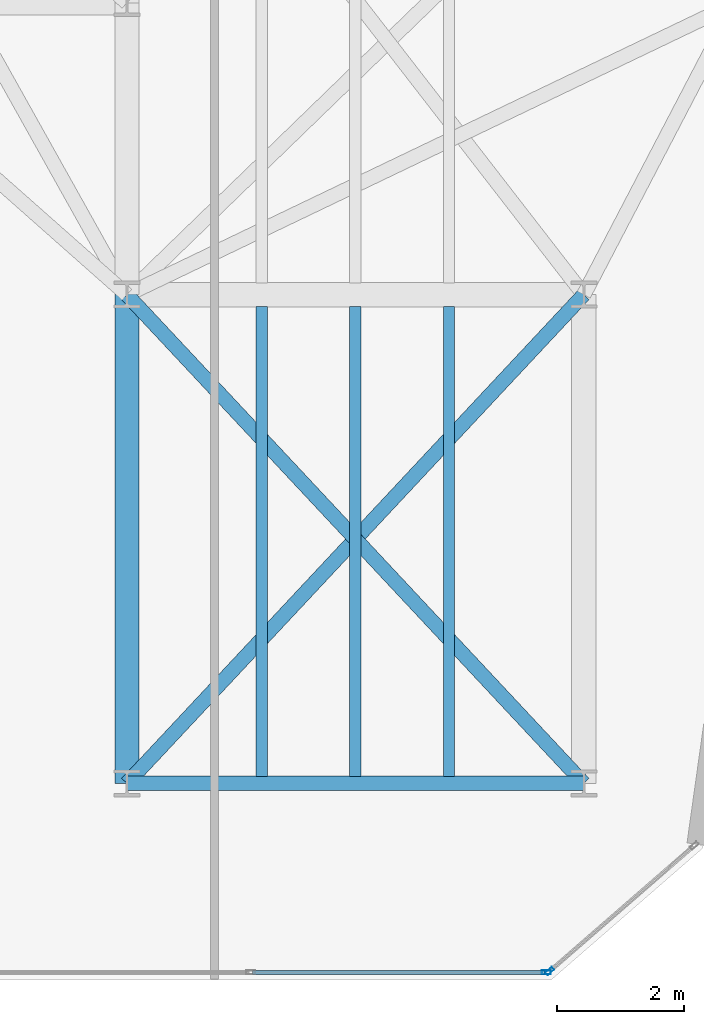
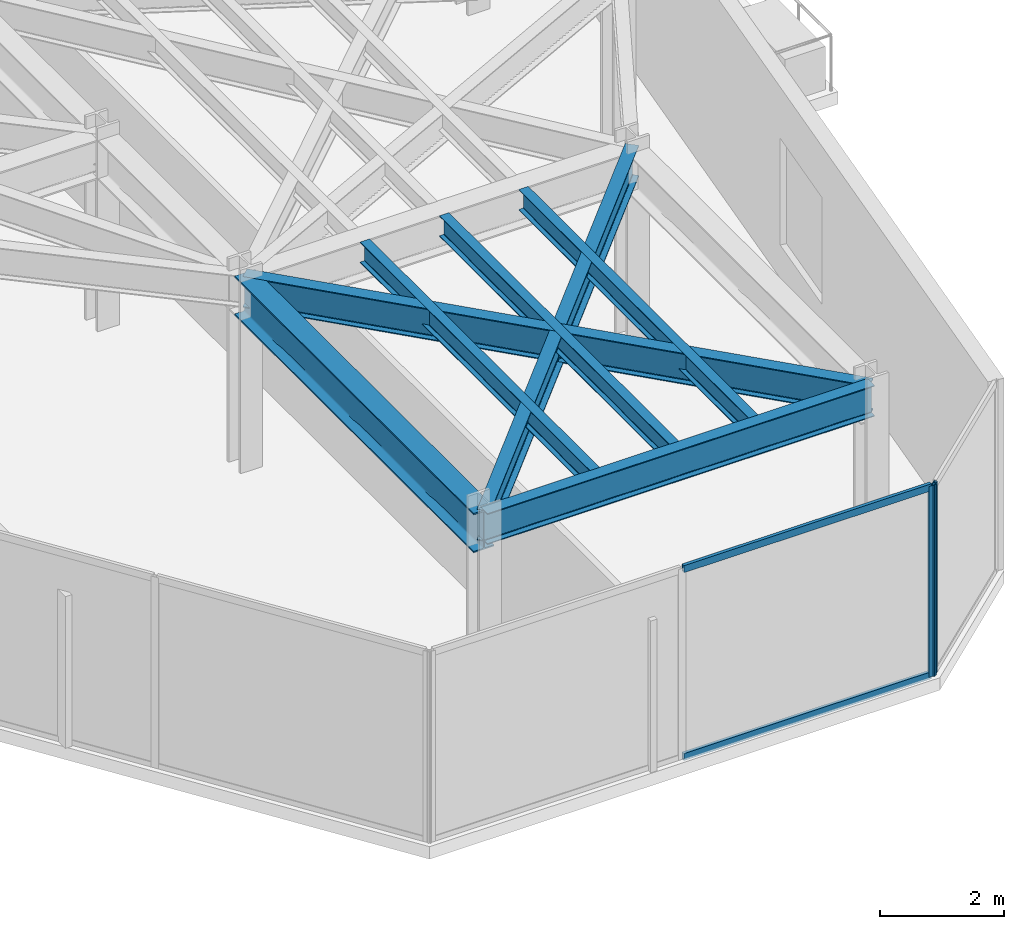
# One storey, part 11 of 21: 7 beams, 4 members, 2 elements without a shape of their own.
"""IFC4 building model written with IfcOpenShell, lengths in metres."""

from ifc_helpers import new_model, si_unit, direction, frame, origin, origin_2d, place, context, subcontext, project, spatial, hollow_rectangle, i_section, extrude, material, layer, layer_set, material_profile, profile_set, type_object, element, aggregate, save


model = new_model("IFC4")

# Units and contexts
model_context = context("Model", 3, precision=1e-05, world=origin(), true_north=direction((0.0, 1.0)))
body_context = subcontext(model_context, "Body", "Model", "MODEL_VIEW")
ifc_project = project(units=[si_unit("LENGTHUNIT", "METRE"), si_unit("AREAUNIT", "SQUARE_METRE"), si_unit("VOLUMEUNIT", "CUBIC_METRE"), si_unit("PLANEANGLEUNIT", "RADIAN"), si_unit("MASSUNIT", "GRAM", prefix="KILO")], contexts=[model_context])

# Site, building, storey
site_placement = place(None, origin())
site = spatial("IfcSite", under=ifc_project, at=site_placement, CompositionType="ELEMENT")
building_placement = place(site_placement, origin())
building = spatial("IfcBuilding", under=site, at=building_placement, Name="Kravanh Interchange Tower", CompositionType="ELEMENT")
storey_placement = place(building_placement, frame((0.0, 0.0, 192.5)))
storey = spatial("IfcBuildingStorey", under=building, at=storey_placement, Name="L46", CompositionType="ELEMENT", Elevation=192.5)

# Curtain wall, member
ifc_material_1 = material(Name="Anodised Bronze Aluminium", Category="aluminium")
ifc_layer = layer(ifc_material_1, 0.179931640625)
ifc_layer_set = layer_set([ifc_layer], Name="Unitised Curtain Wall System CW-Z3 Upper Office")
curtain_wall_type = type_object("IfcCurtainWallType", Name="Unitised Curtain Wall System CW-Z3 Upper Office", PredefinedType="NOTDEFINED", material=ifc_layer_set)
curtain_wall_1_placement = place(storey_placement, origin())
curtain_wall_1 = element("IfcCurtainWall", 1, at=curtain_wall_1_placement, inside=storey, type_object=curtain_wall_type, Name="L46 Unitised Curtain Wall CW-L46-01", PredefinedType="NOTDEFINED")
ifc_material_2 = material(Name="Anodised Bronze Aluminium", Category="aluminium")
ifc_material_profile_1 = material_profile(ifc_material_2, hollow_rectangle(XDim=0.06005859375, YDim=0.139892578125, WallThickness=0.00390625, at=origin_2d()), Name="ALU60X140X4")
ifc_profile_set_1 = profile_set([ifc_material_profile_1], Name="Anodised Bronze Aluminium")
member_type_1 = type_object("IfcMemberType", Name="Curtain Wall Mullion ALU60X140X4 Bronze", PredefinedType="MULLION", material=ifc_profile_set_1)
member_1_placement = place(storey_placement, frame((62.66357421875, 11.539794921875, 0.0), z_axis=(0.0, 0.0, 1.0), x_axis=(0.65605090137, -0.754716645379, 0.0)))
member_1 = element("IfcMember", 2, at=member_1_placement, type_object=member_type_1, Name="CW-Z3 mullion 2", PredefinedType="MULLION", context=body_context, shape_type="SweptSolid", body=[
    extrude(hollow_rectangle(XDim=0.06005859375, YDim=0.139892578125, WallThickness=0.00390625, at=origin_2d()), origin(), (0.0, 0.0, 1.0), 3.7548828125),
])
aggregate(curtain_wall_1, [member_1])

# Curtain wall, members
curtain_wall_2_placement = place(storey_placement, origin())
curtain_wall_2 = element("IfcCurtainWall", 3, at=curtain_wall_2_placement, inside=storey, type_object=curtain_wall_type, Name="L46 Unitised Curtain Wall CW-L46-02", PredefinedType="NOTDEFINED")
member_2_placement = place(storey_placement, frame((62.611083984375, 11.52001953125, 0.0), z_axis=(0.0, 0.0, 1.0), x_axis=(0.0, -1.0, 0.0)))
member_2 = element("IfcMember", 4, at=member_2_placement, type_object=member_type_1, Name="CW-Z3 mullion 1", PredefinedType="MULLION", context=body_context, shape_type="SweptSolid", body=[
    extrude(hollow_rectangle(XDim=0.06005859375, YDim=0.139892578125, WallThickness=0.00390625, at=origin_2d()), origin(), (0.0, 0.0, 1.0), 3.7548828125),
])
ifc_material_3 = material(Name="Anodised Bronze Aluminium", Category="aluminium")
ifc_material_profile_2 = material_profile(ifc_material_3, hollow_rectangle(XDim=0.06005859375, YDim=0.139892578125, WallThickness=0.00390625, at=origin_2d()), Name="ALU60X140X4")
ifc_profile_set_2 = profile_set([ifc_material_profile_2], Name="Anodised Bronze Aluminium")
member_type_2 = type_object("IfcMemberType", Name="Curtain Wall Transom ALU60X140X4 Bronze", PredefinedType="USERDEFINED", material=ifc_profile_set_2)
member_3_placement = place(storey_placement, frame((62.5810546875, 11.52001953125, 0.030029296875), z_axis=(-1.0, 0.0, 0.0), x_axis=(0.0, -1.0, 0.0)))
member_3 = element("IfcMember", 5, at=member_3_placement, type_object=member_type_2, Name="CW-Z3 transom 1.1", ObjectType="TRANSOM", PredefinedType="USERDEFINED", context=body_context, shape_type="SweptSolid", body=[
    extrude(hollow_rectangle(XDim=0.06005859375, YDim=0.139892578125, WallThickness=0.00390625, at=origin_2d()), origin(), (0.0, 0.0, 1.0), 4.59912109375),
])
member_4_placement = place(storey_placement, frame((62.5810546875, 11.52001953125, 3.72509765625), z_axis=(-1.0, 0.0, 0.0), x_axis=(0.0, -1.0, 0.0)))
member_4 = element("IfcMember", 6, at=member_4_placement, type_object=member_type_2, Name="CW-Z3 transom 1.2", ObjectType="TRANSOM", PredefinedType="USERDEFINED", context=body_context, shape_type="SweptSolid", body=[
    extrude(hollow_rectangle(XDim=0.06005859375, YDim=0.139892578125, WallThickness=0.00390625, at=origin_2d()), origin(), (0.0, 0.0, 1.0), 4.59912109375),
])
aggregate(curtain_wall_2, [member_2, member_3, member_4])

# Beams
ifc_material_4 = material(Name="Structural Steel S355", Category="steel")
ifc_material_profile_3 = material_profile(ifc_material_4, i_section(OverallWidth=0.381103515625, OverallDepth=0.77294921875, WebThickness=0.0166015625, FlangeThickness=0.027099609375, FilletRadius=0.02490234375, at=origin_2d()), Name="W30X173")
ifc_profile_set_3 = profile_set([ifc_material_profile_3], Name="Structural Steel S355")
beam_type_1 = type_object("IfcBeamType", Name="Floor Beam W30X173 Structural Steel S355", PredefinedType="BEAM", material=ifc_profile_set_3)
beam_1_placement = place(storey_placement, frame((56.0, 14.5, 3.368408203125), z_axis=(0.0, 1.0, 0.0), x_axis=(-1.0, 0.0, 0.0)))
element("IfcBeam", 7, at=beam_1_placement, inside=storey, type_object=beam_type_1, Name="L46 Primary Floor Girder 87", PredefinedType="BEAM", context=body_context, shape_type="SweptSolid", body=[
    extrude(i_section(OverallWidth=0.381103515625, OverallDepth=0.77294921875, WebThickness=0.0166015625, FlangeThickness=0.027099609375, FilletRadius=0.02490234375, at=origin_2d()), origin(), (0.0, 0.0, 1.0), 7.699951171875),
])
ifc_material_5 = material(Name="Structural Steel S355", Category="steel")
ifc_material_profile_4 = material_profile(ifc_material_5, i_section(OverallWidth=0.177978515625, OverallDepth=0.406005859375, WebThickness=0.0078125, FlangeThickness=0.0126953125, FilletRadius=0.01611328125, at=origin_2d()), Name="W16X40")
ifc_profile_set_4 = profile_set([ifc_material_profile_4], Name="Structural Steel S355")
beam_type_2 = type_object("IfcBeamType", Name="Floor Joist W16X40 Structural Steel S355", PredefinedType="JOIST", material=ifc_profile_set_4)
for number, where, z_axis, x_axis, name in (
    (8, (58.125, 14.60888671875, 3.552001953125), (0.0, 1.0, 0.0), (-1.0, 0.0, 0.0), "L46 Secondary Floor Joist 4"),
    (9, (59.60009765625, 14.60888671875, 3.552001953125), (0.0, 1.0, 0.0), (-1.0, 0.0, 0.0), "L46 Secondary Floor Joist 5"),
    (10, (61.074951171875, 14.60888671875, 3.552001953125), (0.0, 1.0, 0.0), (-1.0, 0.0, 0.0), "L46 Secondary Floor Joist 6"),
):
    element("IfcBeam", number, at=place(storey_placement, frame(where, z_axis=z_axis, x_axis=x_axis)), inside=storey, type_object=beam_type_2, Name=name, PredefinedType="JOIST", context=body_context, shape_type="SweptSolid", body=[
        extrude(i_section(OverallWidth=0.177978515625, OverallDepth=0.406005859375, WebThickness=0.0078125, FlangeThickness=0.0126953125, FilletRadius=0.01611328125, at=origin_2d()), origin(), (0.0, 0.0, 1.0), 7.405517578125),
    ])
ifc_material_6 = material(Name="Structural Steel S355", Category="steel")
ifc_material_profile_5 = material_profile(ifc_material_6, i_section(OverallWidth=0.22802734375, OverallDepth=0.60791015625, WebThickness=0.01123046875, FlangeThickness=0.017333984375, FilletRadius=0.02197265625, at=origin_2d()), Name="W24X76")
ifc_profile_set_5 = profile_set([ifc_material_profile_5], Name="Structural Steel S355")
beam_type_3 = type_object("IfcBeamType", Name="Floor Spandrel W24X76 Structural Steel S355", PredefinedType="SPANDREL", material=ifc_profile_set_5)
beam_2_placement = place(storey_placement, frame((56.0, 14.5, 3.450927734375), z_axis=(1.0, 0.0, 0.0), x_axis=(0.0, 1.0, 0.0)))
element("IfcBeam", 11, at=beam_2_placement, inside=storey, type_object=beam_type_3, Name="L46 Perimeter Spandrel 86", PredefinedType="SPANDREL", context=body_context, shape_type="SweptSolid", body=[
    extrude(i_section(OverallWidth=0.22802734375, OverallDepth=0.60791015625, WebThickness=0.01123046875, FlangeThickness=0.017333984375, FilletRadius=0.02197265625, at=origin_2d()), origin(), (0.0, 0.0, 1.0), 7.199951171875),
])
for number, where, z_axis, x_axis, name in (
    (12, (56.0, 14.5, 3.450927734375), (0.682993762113, 0.73042420614, 0.0), (-0.73042420614, 0.682993762113, 0.0), "L46 Perimeter Spandrel 88"),
    (13, (63.199951171875, 14.5, 3.450927734375), (-0.682993762113, 0.73042420614, 0.0), (-0.73042420614, -0.682993762113, 0.0), "L46 Perimeter Spandrel 90"),
):
    element("IfcBeam", number, at=place(storey_placement, frame(where, z_axis=z_axis, x_axis=x_axis)), inside=storey, type_object=beam_type_3, Name=name, PredefinedType="SPANDREL", context=body_context, shape_type="SweptSolid", body=[
        extrude(i_section(OverallWidth=0.22802734375, OverallDepth=0.60791015625, WebThickness=0.01123046875, FlangeThickness=0.017333984375, FilletRadius=0.02197265625, at=origin_2d()), origin(), (0.0, 0.0, 1.0), 10.541748046875),
    ])

save(model, "model.ifc")
